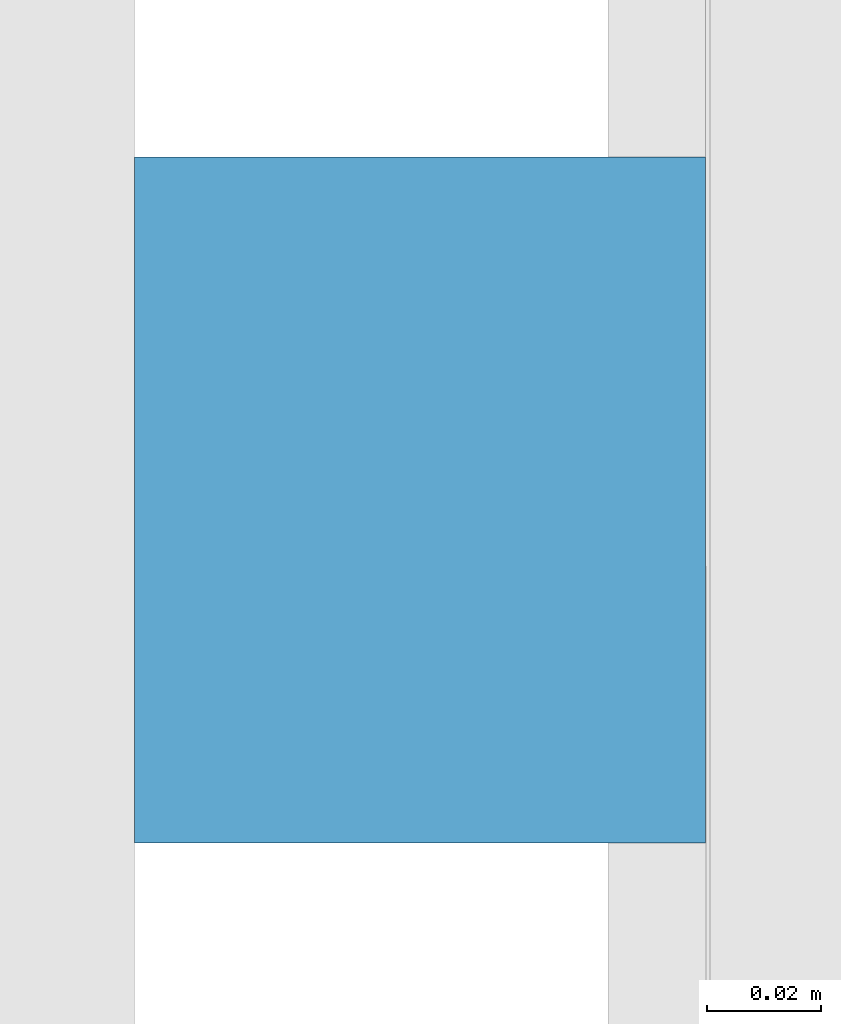
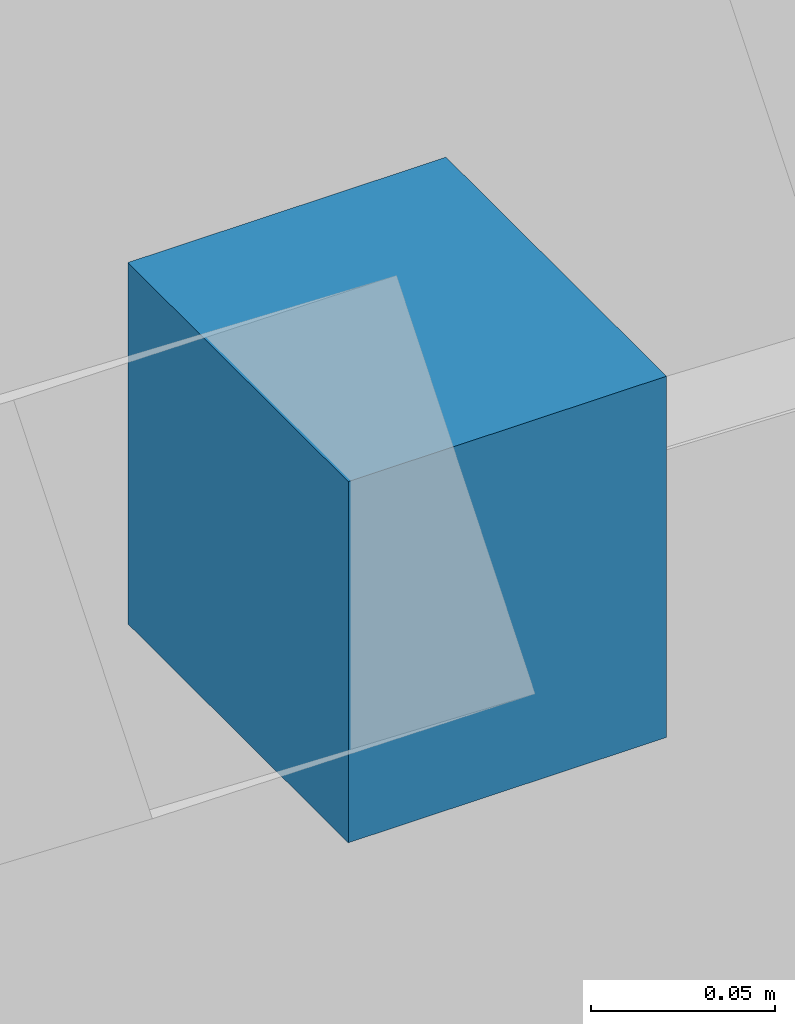
# One storey, part 24 of 27: 1 discrete accessory.
"""IFC4 building model written with IfcOpenShell, lengths in metres."""

from ifc_helpers import new_model, si_unit, direction, frame, origin, origin_2d, place, context, subcontext, project, spatial, rectangle, extrude, material, type_object, element, save


model = new_model("IFC4")

# Units and contexts
model_context = context("Model", 3, precision=1e-05, world=origin(), true_north=direction((0.0, 1.0)))
body_context = subcontext(model_context, "Body", "Model", "MODEL_VIEW")
ifc_project = project(units=[si_unit("LENGTHUNIT", "METRE"), si_unit("AREAUNIT", "SQUARE_METRE"), si_unit("VOLUMEUNIT", "CUBIC_METRE"), si_unit("PLANEANGLEUNIT", "RADIAN"), si_unit("MASSUNIT", "GRAM", prefix="KILO")], contexts=[model_context])

# Site, building, storey
site_placement = place(None, origin())
site = spatial("IfcSite", under=ifc_project, at=site_placement, CompositionType="ELEMENT")
building_placement = place(site_placement, origin())
building = spatial("IfcBuilding", under=site, at=building_placement, Name="Crosswind Convention Tower", CompositionType="ELEMENT")
storey_placement = place(building_placement, frame((0.0, 0.0, 72.0)))
storey = spatial("IfcBuildingStorey", under=building, at=storey_placement, Name="L12", CompositionType="ELEMENT", Elevation=72.0)

# Discrete accessory
ifc_material = material(Name="Stainless steel", Category="steel")
discrete_accessory_type = type_object("IfcDiscreteAccessoryType", Name="BAGUETTE BRACKET BK2", PredefinedType="BRACKET", material=ifc_material)
discrete_accessory_placement = place(storey_placement, frame((88.092041015625, 110.333740234375, 1.4775390625), z_axis=(0.0, 0.0, 1.0), x_axis=(0.0, -1.0, 0.0)))
element("IfcDiscreteAccessory", 1, at=discrete_accessory_placement, inside=storey, type_object=discrete_accessory_type, Name="BK2 baguette bracket", PredefinedType="BRACKET", context=body_context, shape_type="SweptSolid", body=[
    extrude(rectangle(XDim=0.1201171875, YDim=0.10009765625, at=origin_2d()), origin(), (0.0, 0.0, 1.0), 0.1201171875),
])

save(model, "model.ifc")
